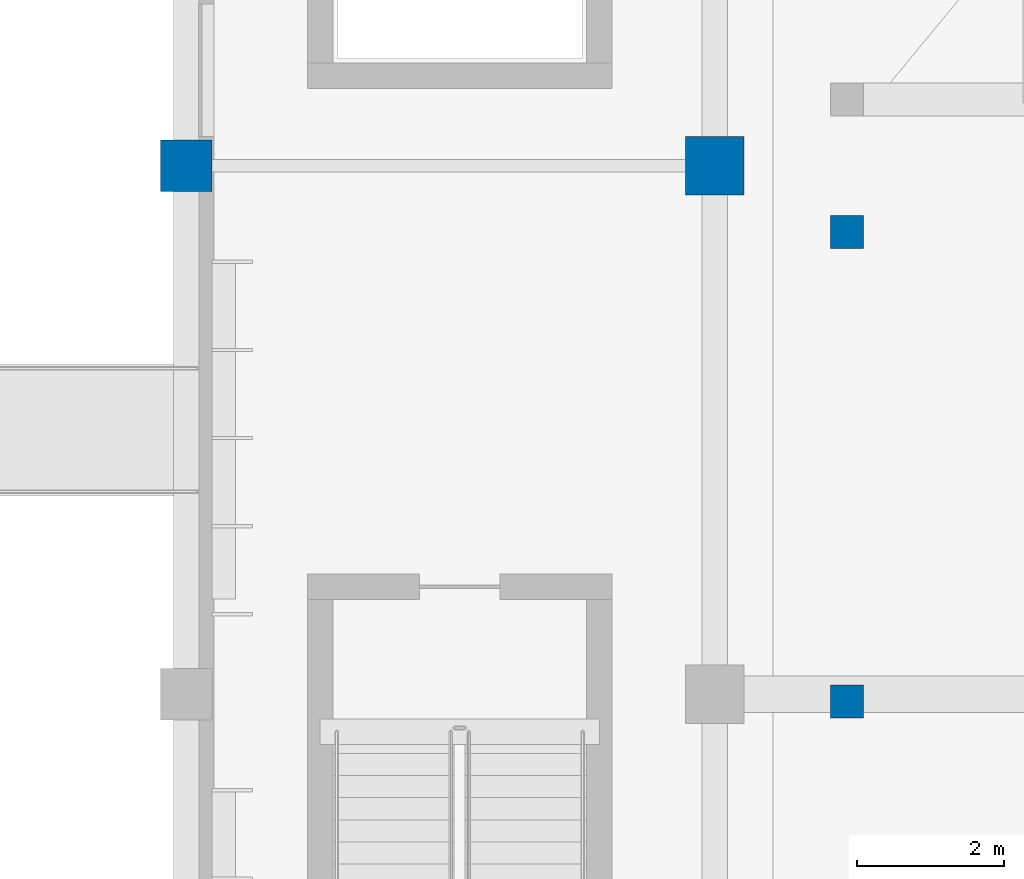
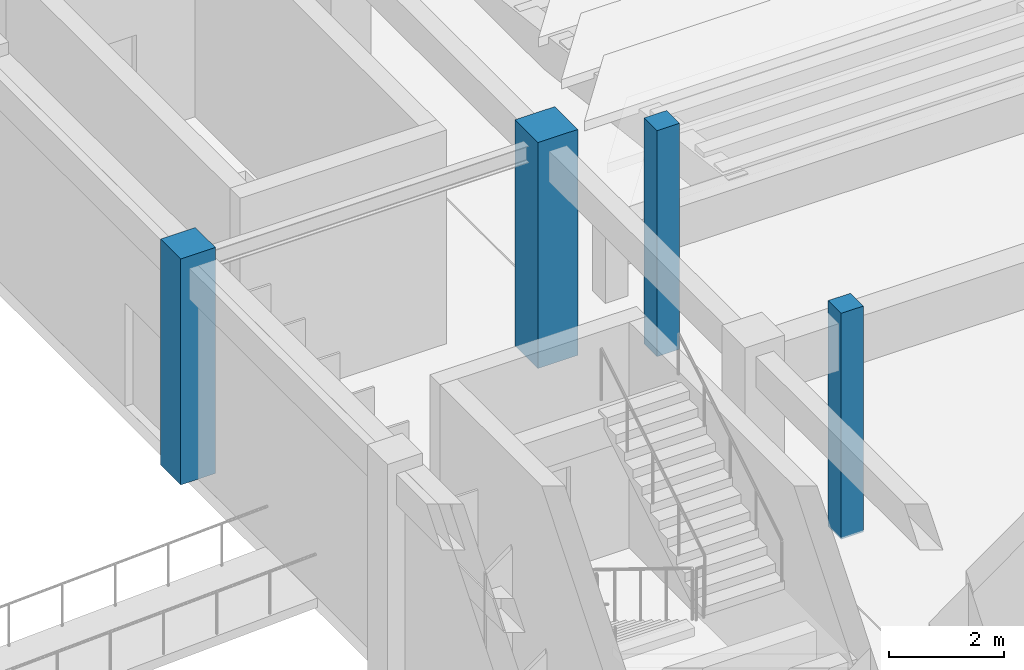
# One storey, part 4 of 122: 4 columns.
"""IFC4 building model written with IfcOpenShell, lengths in metres."""

import ifcopenshell
import ifcopenshell.guid

model = None  # the IFC model being written
_history = None  # IfcOwnerHistory: only IFC2X3 demands one
_inside = {}  # id of a spatial element -> (the spatial element, [elements in it])
_under = {}  # id of a project, library or spatial element -> (it, [spatial elements below it])
_declared = {}  # id of a project -> (the project, [libraries it declares])
_typed = {}  # id of a type object -> (the type object, [elements of that type])
_made_of = {}  # id of a material, layer set ... -> (it, [elements and type objects made of it])


def new_model(schema):
    """Start an empty IFC model of exactly this schema.

    Asked for "IFC4X3", IfcOpenShell would pick the latest addendum, in which some entities
    have other attributes; the version numbers below select the first issue.
    IFC2X3 requires an IfcOwnerHistory on every rooted entity: one is made here for all.
    """
    global model, _history
    if schema == "IFC4X3":
        model = ifcopenshell.file(schema_version=(4, 3, 0, 0))
    else:
        model = ifcopenshell.file(schema=schema)
    _inside.clear()
    _under.clear()
    _declared.clear()
    _typed.clear()
    _made_of.clear()
    _history = None
    if model.schema == "IFC2X3":
        org = make("IfcOrganization", Name="unknown")
        user = make(
            "IfcPersonAndOrganization",
            ThePerson=make("IfcPerson", FamilyName="unknown"),
            TheOrganization=org,
        )
        app = make(
            "IfcApplication",
            ApplicationDeveloper=org,
            Version="unknown",
            ApplicationFullName="unknown",
            ApplicationIdentifier="unknown",
        )
        _history = make(
            "IfcOwnerHistory",
            OwningUser=user,
            OwningApplication=app,
            ChangeAction="ADDED",
            CreationDate=0,
        )
    return model


def make(cls, **values):
    """One entity of the class cls with the attributes given. An attribute that is None is left unset."""
    return model.create_entity(
        cls, **{name: value for name, value in values.items() if value is not None}
    )


def rooted(cls, **values):
    """An entity with a GlobalId (a new one), such as an element, a storey or a relation."""
    return make(cls, GlobalId=ifcopenshell.guid.new(), OwnerHistory=_history, **values)


def si_unit(unit_type, name, prefix=None):
    """IfcSIUnit, for example si_unit("LENGTHUNIT", "METRE", prefix="MILLI")."""
    return make("IfcSIUnit", UnitType=unit_type, Prefix=prefix, Name=name)


def assignment(units):
    """IfcUnitAssignment: the units of a project."""
    return None if units is None else make("IfcUnitAssignment", Units=units)


def point(xyz):
    """IfcCartesianPoint."""
    return None if xyz is None else make("IfcCartesianPoint", Coordinates=xyz)


def direction(xyz):
    """IfcDirection."""
    return None if xyz is None else make("IfcDirection", DirectionRatios=xyz)


def frame(location, z_axis=None, x_axis=None):
    """IfcAxis2Placement3D, a coordinate frame: its origin and axes. An axis left out is left unset."""
    return make(
        "IfcAxis2Placement3D",
        Location=point(location),
        Axis=direction(z_axis),
        RefDirection=direction(x_axis),
    )


def frame_2d(location, x_axis=None):
    """IfcAxis2Placement2D, a coordinate frame in the plane: its origin and x axis."""
    return make(
        "IfcAxis2Placement2D", Location=point(location), RefDirection=direction(x_axis)
    )


def origin():
    """The frame at (0, 0, 0) with its axes left unset."""
    return frame((0.0, 0.0, 0.0))


def origin_2d():
    """The frame at (0, 0) in the plane with its x axis left unset."""
    return frame_2d((0.0, 0.0))


def place(relative_to, where):
    """IfcLocalPlacement: puts the frame where relative to a parent placement (None: the world)."""
    return make(
        "IfcLocalPlacement", PlacementRelTo=relative_to, RelativePlacement=where
    )


def context(
    kind, dimensions, precision=None, world=None, true_north=None, identifier=None
):
    """IfcGeometricRepresentationContext, for example the 3D "Model" context."""
    return make(
        "IfcGeometricRepresentationContext",
        ContextIdentifier=identifier,
        ContextType=kind,
        CoordinateSpaceDimension=dimensions,
        Precision=precision,
        WorldCoordinateSystem=world,
        TrueNorth=true_north,
    )


def subcontext(parent, identifier, kind, view, scale=None):
    """IfcGeometricRepresentationSubContext, for example "Body" below "Model"."""
    return make(
        "IfcGeometricRepresentationSubContext",
        ContextIdentifier=identifier,
        ContextType=kind,
        ParentContext=parent,
        TargetScale=scale,
        TargetView=view,
    )


def project(units=None, contexts=None):
    """IfcProject with its units and contexts."""
    return rooted(
        "IfcProject",
        Name="project",
        RepresentationContexts=contexts,
        UnitsInContext=assignment(units),
    )


def spatial(cls, under=None, at=None, **own):
    """A site, building, storey or space (cls), placed at a placement, below another one or the project."""
    s = rooted(cls, ObjectPlacement=at, **own)
    if under is not None:
        _under.setdefault(under.id(), (under, []))[1].append(s)
    return s


def profile(cls, at=None, kind="AREA", **sizes):
    """A parametric profile (cls). Its sizes go by their IFC names, for example OverallWidth=200.0."""
    return make(cls, ProfileType=kind, Position=at, **sizes)


def rectangle(**sizes):
    """IfcRectangleProfileDef."""
    return profile("IfcRectangleProfileDef", **sizes)


def extrude(swept, where, along, depth):
    """IfcExtrudedAreaSolid: the profile swept, set in the frame where, extruded along a direction by depth."""
    return make(
        "IfcExtrudedAreaSolid",
        SweptArea=swept,
        Position=where,
        ExtrudedDirection=direction(along),
        Depth=depth,
    )


def shape(context_of_items, identifier, shape_type, items):
    """IfcShapeRepresentation: the items that make up one representation, for example the "Body"."""
    return make(
        "IfcShapeRepresentation",
        ContextOfItems=context_of_items,
        RepresentationIdentifier=identifier,
        RepresentationType=shape_type,
        Items=items,
    )


def material(Name=None, Category=None):
    """IfcMaterial."""
    return make("IfcMaterial", Name=Name, Category=Category)


def material_profile(
    of_material, cross_section, Name=None, Category=None, Priority=None
):
    """IfcMaterialProfile: a cross section and its material."""
    return make(
        "IfcMaterialProfile",
        Name=Name,
        Material=of_material,
        Profile=cross_section,
        Priority=Priority,
        Category=Category,
    )


def profile_set(profiles, Name=None, composite=None):
    """IfcMaterialProfileSet."""
    return make(
        "IfcMaterialProfileSet",
        Name=Name,
        MaterialProfiles=profiles,
        CompositeProfile=composite,
    )


def made_of(thing, what):
    """Note that an element or type object is made of a material, layer set ...; save() writes the relation."""
    if what is not None:
        _made_of.setdefault(what.id(), (what, []))[1].append(thing)
    return thing


def type_object(cls, material=None, **own):
    """A type object (cls), such as IfcWallType, which elements share."""
    return made_of(rooted(cls, **own), material)


def element(
    cls,
    number,
    at=None,
    inside=None,
    cuts=None,
    type_object=None,
    material=None,
    context=None,
    identifier="Body",
    shape_type=None,
    held_by="IfcProductDefinitionShape",
    body=None,
    shapes=None,
    **own,
):
    """One element of the class cls, such as IfcWall. Its Tag is "e" and its number.

    at: its placement. inside: the storey or other place that contains it. cuts: it is an
    opening in that element (IfcRelVoidsElement). A single representation is given by context,
    identifier, shape_type and body (its items); several are given by shapes. held_by: the class
    of the entity that holds the representations. save() writes the other relations.
    """
    e = rooted(cls, Tag="e%d" % number, ObjectPlacement=at, **own)
    if body is not None:
        shapes = [shape(context, identifier, shape_type, body)]
    if shapes is not None:
        e.Representation = make(held_by, Representations=shapes)
    if inside is not None:
        _inside.setdefault(inside.id(), (inside, []))[1].append(e)
    if cuts is not None:
        rooted(
            "IfcRelVoidsElement", RelatingBuildingElement=cuts, RelatedOpeningElement=e
        )
    if type_object is not None:
        _typed.setdefault(type_object.id(), (type_object, []))[1].append(e)
    return made_of(e, material)


def aggregate(whole, parts):
    """IfcRelAggregates: a whole, such as a stair, and the parts it consists of."""
    return rooted("IfcRelAggregates", RelatingObject=whole, RelatedObjects=parts)


def save(model, path):
    """Write the relations noted so far, then the file.

    IfcRelAggregates (storeys below a building ...), IfcRelContainedInSpatialStructure (elements
    in a storey), IfcRelDefinesByType, IfcRelAssociatesMaterial and IfcRelDeclares: one each for
    every whole, place, type object, material and project.
    """
    for whole, parts in _under.values():
        aggregate(whole, parts)
    for where, things in _inside.values():
        rooted(
            "IfcRelContainedInSpatialStructure",
            RelatedElements=things,
            RelatingStructure=where,
        )
    for kind, things in _typed.values():
        rooted("IfcRelDefinesByType", RelatedObjects=things, RelatingType=kind)
    for what, things in _made_of.values():
        rooted("IfcRelAssociatesMaterial", RelatedObjects=things, RelatingMaterial=what)
    for by, libraries in _declared.values():
        rooted("IfcRelDeclares", RelatingContext=by, RelatedDefinitions=libraries)
    model.write(path)


model = new_model("IFC4")

# Units and contexts
model_context = context("Model", 3, precision=1e-05, world=origin(), true_north=direction((0.0, 1.0)))
body_context = subcontext(model_context, "Body", "Model", "MODEL_VIEW")
ifc_project = project(units=[si_unit("LENGTHUNIT", "METRE"), si_unit("AREAUNIT", "SQUARE_METRE"), si_unit("VOLUMEUNIT", "CUBIC_METRE"), si_unit("PLANEANGLEUNIT", "RADIAN"), si_unit("MASSUNIT", "GRAM", prefix="KILO")], contexts=[model_context])

# Site, building, storey
site_placement = place(None, origin())
site = spatial("IfcSite", under=ifc_project, at=site_placement, CompositionType="ELEMENT")
building_placement = place(site_placement, origin())
building = spatial("IfcBuilding", under=site, at=building_placement, Name="Tazoul Stagehouse", CompositionType="ELEMENT")
storey_placement = place(building_placement, origin())
storey = spatial("IfcBuildingStorey", under=building, at=storey_placement, Name="L00", CompositionType="ELEMENT", Elevation=0.0)

# Columns
ifc_material = material(Name="Concrete C40/50", Category="concrete")
ifc_material_profile_1 = material_profile(ifc_material, rectangle(XDim=0.449951171875, YDim=0.449951171875, at=origin_2d()), Name="RC 450x450")
ifc_profile_set_1 = profile_set([ifc_material_profile_1], Name="Concrete C40/50")
column_type_1 = type_object("IfcColumnType", Name="RC Column 450x450", PredefinedType="COLUMN", material=ifc_profile_set_1)
for number, where, z_axis, x_axis, name in (
    (1, (59.39990234375, 65.300048828125, 0.0), (0.0, 0.0, 1.0), (1.0, 0.0, 0.0), "L00 Bowl Support Column C-01 (V1-DRESS-FRT-1)"),
    (2, (59.39990234375, 58.89990234375, 0.0), (0.0, 0.0, 1.0), (1.0, 0.0, 0.0), "L00 Bowl Support Column C-01 (V1-DRESS-RER-1)"),
):
    element("IfcColumn", number, at=place(storey_placement, frame(where, z_axis=z_axis, x_axis=x_axis)), inside=storey, type_object=column_type_1, Name=name, PredefinedType="COLUMN", context=body_context, shape_type="SweptSolid", body=[
        extrude(rectangle(XDim=0.449951171875, YDim=0.449951171875, at=origin_2d()), origin(), (0.0, 0.0, 1.0), 4.800048828125),
    ])
ifc_material_profile_2 = material_profile(ifc_material, rectangle(XDim=0.699951171875, YDim=0.699951171875, at=origin_2d()), Name="RC 700x700")
ifc_profile_set_2 = profile_set([ifc_material_profile_2], Name="Concrete C40/50")
column_type_2 = type_object("IfcColumnType", Name="RC Column 700x700 (Exterior)", PredefinedType="COLUMN", material=ifc_profile_set_2)
column_1_placement = place(storey_placement, frame((50.39990234375, 66.199951171875, 0.0), z_axis=(0.0, 0.0, 1.0), x_axis=(1.0, 0.0, 0.0)))
element("IfcColumn", 3, at=column_1_placement, inside=storey, type_object=column_type_2, Name="L00 Column C-04E at 7/K", PredefinedType="COLUMN", context=body_context, shape_type="SweptSolid", body=[
    extrude(rectangle(XDim=0.699951171875, YDim=0.699951171875, at=origin_2d()), origin(), (0.0, 0.0, 1.0), 4.800048828125),
])
ifc_material_profile_3 = material_profile(ifc_material, rectangle(XDim=0.800048828125, YDim=0.800048828125, at=origin_2d()), Name="RC 800x800")
ifc_profile_set_3 = profile_set([ifc_material_profile_3], Name="Concrete C40/50")
column_type_3 = type_object("IfcColumnType", Name="RC Column 800x800", PredefinedType="COLUMN", material=ifc_profile_set_3)
column_2_placement = place(storey_placement, frame((57.60009765625, 66.199951171875, 0.0), z_axis=(0.0, 0.0, 1.0), x_axis=(1.0, 0.0, 0.0)))
element("IfcColumn", 4, at=column_2_placement, inside=storey, type_object=column_type_3, Name="L00 Column C-05 at 8/K", PredefinedType="COLUMN", context=body_context, shape_type="SweptSolid", body=[
    extrude(rectangle(XDim=0.800048828125, YDim=0.800048828125, at=origin_2d()), origin(), (0.0, 0.0, 1.0), 4.800048828125),
])

save(model, "model.ifc")
